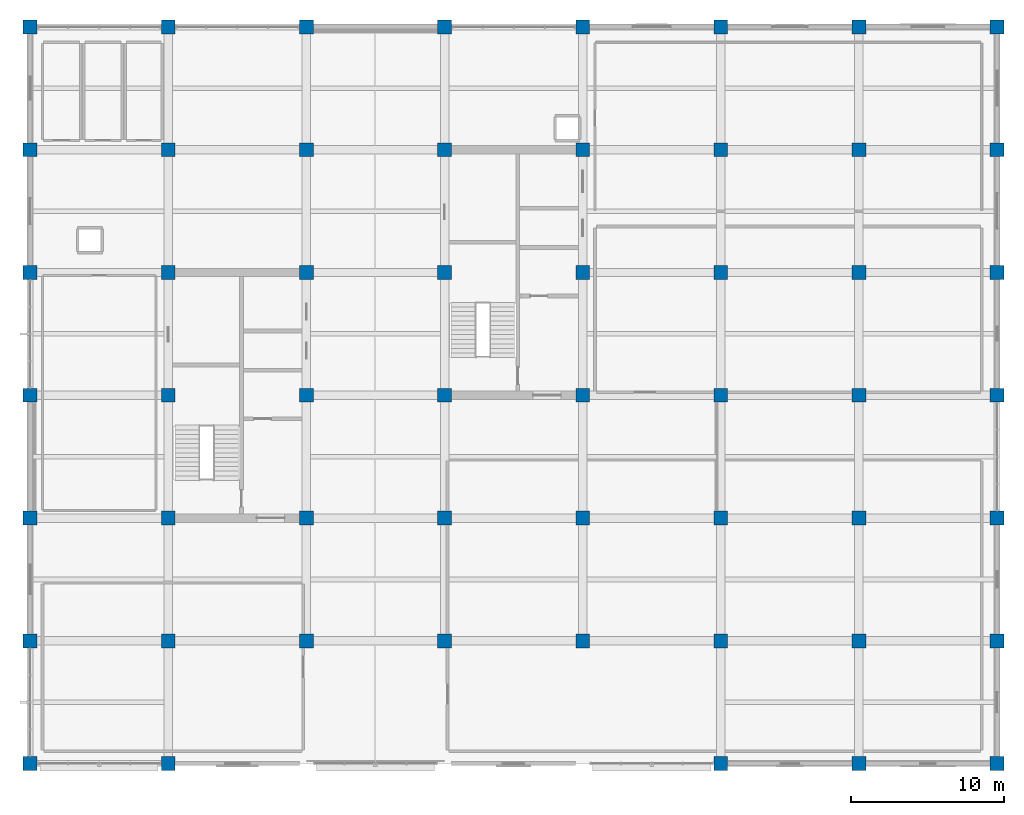
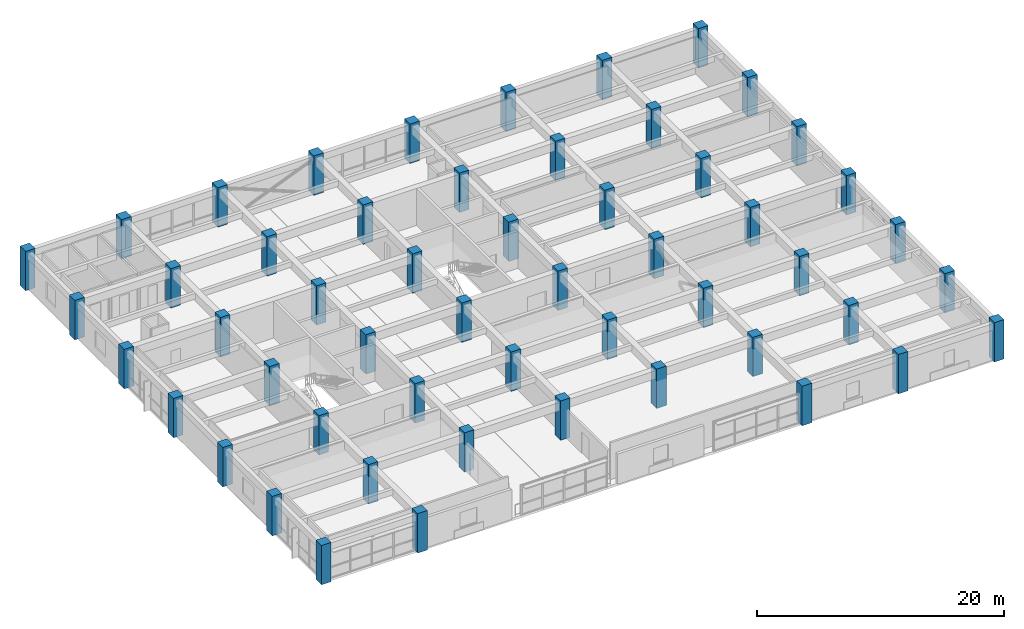
# One storey, part 1 of 16: 53 columns.
"""IFC4 building model written with IfcOpenShell, lengths in metres."""

from ifc_helpers import new_model, si_unit, direction, frame, origin, origin_2d, place, context, subcontext, project, spatial, rectangle, extrude, material, material_profile, profile_set, type_object, element, save


model = new_model("IFC4")

# Units and contexts
model_context = context("Model", 3, precision=1e-05, world=origin(), true_north=direction((0.0, 1.0)))
body_context = subcontext(model_context, "Body", "Model", "MODEL_VIEW")
ifc_project = project(units=[si_unit("LENGTHUNIT", "METRE"), si_unit("AREAUNIT", "SQUARE_METRE"), si_unit("VOLUMEUNIT", "CUBIC_METRE"), si_unit("PLANEANGLEUNIT", "RADIAN"), si_unit("MASSUNIT", "GRAM", prefix="KILO")], contexts=[model_context])

# Site, building, storey
site_placement = place(None, origin())
site = spatial("IfcSite", under=ifc_project, at=site_placement, CompositionType="ELEMENT")
building_placement = place(site_placement, origin())
building = spatial("IfcBuilding", under=site, at=building_placement, Name="Zaverband Oceanarium and Marine Research Institute", CompositionType="ELEMENT")
storey_placement = place(building_placement, frame((0.0, 0.0, 25.800048828125)))
storey = spatial("IfcBuildingStorey", under=building, at=storey_placement, Name="L06", CompositionType="ELEMENT", Elevation=25.800048828125)

# Columns
ifc_material = material(Name="Concrete C50/60", Category="concrete")
ifc_material_profile = material_profile(ifc_material, rectangle(XDim=0.89990234375, YDim=0.89990234375, at=origin_2d()), Name="RC900x900")
ifc_profile_set = profile_set([ifc_material_profile], Name="Concrete C50/60")
column_type = type_object("IfcColumnType", Name="COL-C900", PredefinedType="COLUMN", material=ifc_profile_set)
for number, where, z_axis, x_axis, name in (
    (1, (9.0, 64.0, 0.0), (0.0, 0.0, 1.0), (1.0, 0.0, 0.0), "Reinforced concrete column RC900x900 COL-C900"),
    (2, (9.0, 72.0, 0.0), (0.0, 0.0, 1.0), (1.0, 0.0, 0.0), "Reinforced concrete column RC900x900 COL-C900"),
    (3, (9.0, 80.0, 0.0), (0.0, 0.0, 1.0), (1.0, 0.0, 0.0), "Reinforced concrete column RC900x900 COL-C900"),
    (4, (9.0, 88.0, 0.0), (0.0, 0.0, 1.0), (1.0, 0.0, 0.0), "Reinforced concrete column RC900x900 COL-C900"),
    (5, (9.0, 96.0, 0.0), (0.0, 0.0, 1.0), (1.0, 0.0, 0.0), "Reinforced concrete column RC900x900 COL-C900"),
    (6, (9.0, 104.0, 0.0), (0.0, 0.0, 1.0), (1.0, 0.0, 0.0), "Reinforced concrete column RC900x900 COL-C900"),
    (7, (9.0, 112.0, 0.0), (0.0, 0.0, 1.0), (1.0, 0.0, 0.0), "Reinforced concrete column RC900x900 COL-C900"),
    (8, (18.0, 64.0, 0.0), (0.0, 0.0, 1.0), (1.0, 0.0, 0.0), "Reinforced concrete column RC900x900 COL-C900"),
    (9, (18.0, 72.0, 0.0), (0.0, 0.0, 1.0), (1.0, 0.0, 0.0), "Reinforced concrete column RC900x900 COL-C900"),
    (10, (18.0, 80.0, 0.0), (0.0, 0.0, 1.0), (1.0, 0.0, 0.0), "Reinforced concrete column RC900x900 COL-C900"),
    (11, (18.0, 88.0, 0.0), (0.0, 0.0, 1.0), (1.0, 0.0, 0.0), "Reinforced concrete column RC900x900 COL-C900"),
    (12, (18.0, 96.0, 0.0), (0.0, 0.0, 1.0), (1.0, 0.0, 0.0), "Reinforced concrete column RC900x900 COL-C900"),
    (13, (18.0, 104.0, 0.0), (0.0, 0.0, 1.0), (1.0, 0.0, 0.0), "Reinforced concrete column RC900x900 COL-C900"),
    (14, (18.0, 112.0, 0.0), (0.0, 0.0, 1.0), (1.0, 0.0, 0.0), "Reinforced concrete column RC900x900 COL-C900"),
    (15, (27.0, 72.0, 0.0), (0.0, 0.0, 1.0), (1.0, 0.0, 0.0), "Reinforced concrete column RC900x900 COL-C900"),
    (16, (27.0, 80.0, 0.0), (0.0, 0.0, 1.0), (1.0, 0.0, 0.0), "Reinforced concrete column RC900x900 COL-C900"),
    (17, (27.0, 88.0, 0.0), (0.0, 0.0, 1.0), (1.0, 0.0, 0.0), "Reinforced concrete column RC900x900 COL-C900"),
    (18, (27.0, 96.0, 0.0), (0.0, 0.0, 1.0), (1.0, 0.0, 0.0), "Reinforced concrete column RC900x900 COL-C900"),
    (19, (27.0, 104.0, 0.0), (0.0, 0.0, 1.0), (1.0, 0.0, 0.0), "Reinforced concrete column RC900x900 COL-C900"),
    (20, (27.0, 112.0, 0.0), (0.0, 0.0, 1.0), (1.0, 0.0, 0.0), "Reinforced concrete column RC900x900 COL-C900"),
    (21, (36.0, 72.0, 0.0), (0.0, 0.0, 1.0), (1.0, 0.0, 0.0), "Reinforced concrete column RC900x900 COL-C900"),
    (22, (36.0, 80.0, 0.0), (0.0, 0.0, 1.0), (1.0, 0.0, 0.0), "Reinforced concrete column RC900x900 COL-C900"),
    (23, (36.0, 88.0, 0.0), (0.0, 0.0, 1.0), (1.0, 0.0, 0.0), "Reinforced concrete column RC900x900 COL-C900"),
    (24, (36.0, 96.0, 0.0), (0.0, 0.0, 1.0), (1.0, 0.0, 0.0), "Reinforced concrete column RC900x900 COL-C900"),
    (25, (36.0, 104.0, 0.0), (0.0, 0.0, 1.0), (1.0, 0.0, 0.0), "Reinforced concrete column RC900x900 COL-C900"),
    (26, (36.0, 112.0, 0.0), (0.0, 0.0, 1.0), (1.0, 0.0, 0.0), "Reinforced concrete column RC900x900 COL-C900"),
    (27, (45.0, 72.0, 0.0), (0.0, 0.0, 1.0), (1.0, 0.0, 0.0), "Reinforced concrete column RC900x900 COL-C900"),
    (28, (45.0, 80.0, 0.0), (0.0, 0.0, 1.0), (1.0, 0.0, 0.0), "Reinforced concrete column RC900x900 COL-C900"),
    (29, (45.0, 88.0, 0.0), (0.0, 0.0, 1.0), (1.0, 0.0, 0.0), "Reinforced concrete column RC900x900 COL-C900"),
    (30, (45.0, 96.0, 0.0), (0.0, 0.0, 1.0), (1.0, 0.0, 0.0), "Reinforced concrete column RC900x900 COL-C900"),
    (31, (45.0, 104.0, 0.0), (0.0, 0.0, 1.0), (1.0, 0.0, 0.0), "Reinforced concrete column RC900x900 COL-C900"),
    (32, (45.0, 112.0, 0.0), (0.0, 0.0, 1.0), (1.0, 0.0, 0.0), "Reinforced concrete column RC900x900 COL-C900"),
    (33, (54.0, 64.0, 0.0), (0.0, 0.0, 1.0), (1.0, 0.0, 0.0), "Reinforced concrete column RC900x900 COL-C900"),
    (34, (54.0, 72.0, 0.0), (0.0, 0.0, 1.0), (1.0, 0.0, 0.0), "Reinforced concrete column RC900x900 COL-C900"),
    (35, (54.0, 80.0, 0.0), (0.0, 0.0, 1.0), (1.0, 0.0, 0.0), "Reinforced concrete column RC900x900 COL-C900"),
    (36, (54.0, 88.0, 0.0), (0.0, 0.0, 1.0), (1.0, 0.0, 0.0), "Reinforced concrete column RC900x900 COL-C900"),
    (37, (54.0, 96.0, 0.0), (0.0, 0.0, 1.0), (1.0, 0.0, 0.0), "Reinforced concrete column RC900x900 COL-C900"),
    (38, (54.0, 104.0, 0.0), (0.0, 0.0, 1.0), (1.0, 0.0, 0.0), "Reinforced concrete column RC900x900 COL-C900"),
    (39, (54.0, 112.0, 0.0), (0.0, 0.0, 1.0), (1.0, 0.0, 0.0), "Reinforced concrete column RC900x900 COL-C900"),
    (40, (63.0, 64.0, 0.0), (0.0, 0.0, 1.0), (1.0, 0.0, 0.0), "Reinforced concrete column RC900x900 COL-C900"),
    (41, (63.0, 72.0, 0.0), (0.0, 0.0, 1.0), (1.0, 0.0, 0.0), "Reinforced concrete column RC900x900 COL-C900"),
    (42, (63.0, 80.0, 0.0), (0.0, 0.0, 1.0), (1.0, 0.0, 0.0), "Reinforced concrete column RC900x900 COL-C900"),
    (43, (63.0, 88.0, 0.0), (0.0, 0.0, 1.0), (1.0, 0.0, 0.0), "Reinforced concrete column RC900x900 COL-C900"),
    (44, (63.0, 96.0, 0.0), (0.0, 0.0, 1.0), (1.0, 0.0, 0.0), "Reinforced concrete column RC900x900 COL-C900"),
    (45, (63.0, 104.0, 0.0), (0.0, 0.0, 1.0), (1.0, 0.0, 0.0), "Reinforced concrete column RC900x900 COL-C900"),
    (46, (63.0, 112.0, 0.0), (0.0, 0.0, 1.0), (1.0, 0.0, 0.0), "Reinforced concrete column RC900x900 COL-C900"),
    (47, (72.0, 64.0, 0.0), (0.0, 0.0, 1.0), (1.0, 0.0, 0.0), "Reinforced concrete column RC900x900 COL-C900"),
    (48, (72.0, 72.0, 0.0), (0.0, 0.0, 1.0), (1.0, 0.0, 0.0), "Reinforced concrete column RC900x900 COL-C900"),
    (49, (72.0, 80.0, 0.0), (0.0, 0.0, 1.0), (1.0, 0.0, 0.0), "Reinforced concrete column RC900x900 COL-C900"),
    (50, (72.0, 88.0, 0.0), (0.0, 0.0, 1.0), (1.0, 0.0, 0.0), "Reinforced concrete column RC900x900 COL-C900"),
    (51, (72.0, 96.0, 0.0), (0.0, 0.0, 1.0), (1.0, 0.0, 0.0), "Reinforced concrete column RC900x900 COL-C900"),
    (52, (72.0, 104.0, 0.0), (0.0, 0.0, 1.0), (1.0, 0.0, 0.0), "Reinforced concrete column RC900x900 COL-C900"),
    (53, (72.0, 112.0, 0.0), (0.0, 0.0, 1.0), (1.0, 0.0, 0.0), "Reinforced concrete column RC900x900 COL-C900"),
):
    element("IfcColumn", number, at=place(storey_placement, frame(where, z_axis=z_axis, x_axis=x_axis)), inside=storey, type_object=column_type, Name=name, PredefinedType="COLUMN", context=body_context, shape_type="SweptSolid", body=[
        extrude(rectangle(XDim=0.89990234375, YDim=0.89990234375, at=origin_2d()), origin(), (0.0, 0.0, 1.0), 3.89990234375),
    ])

save(model, "model.ifc")
